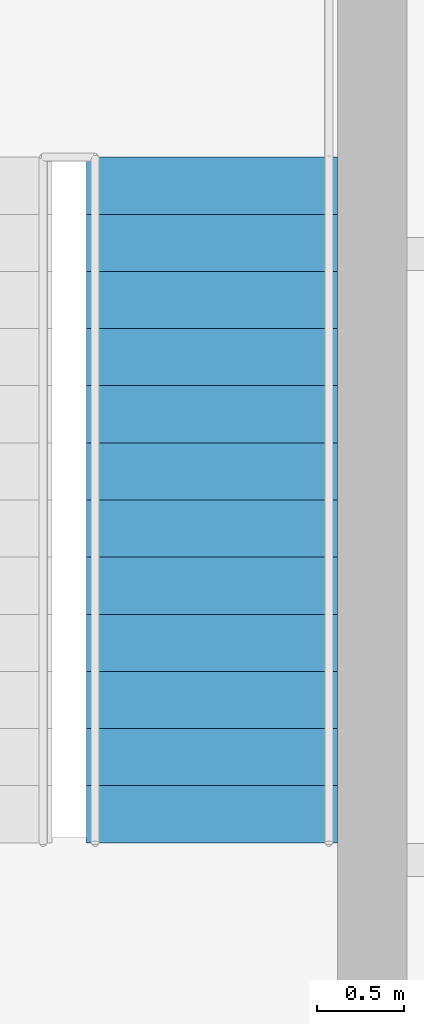
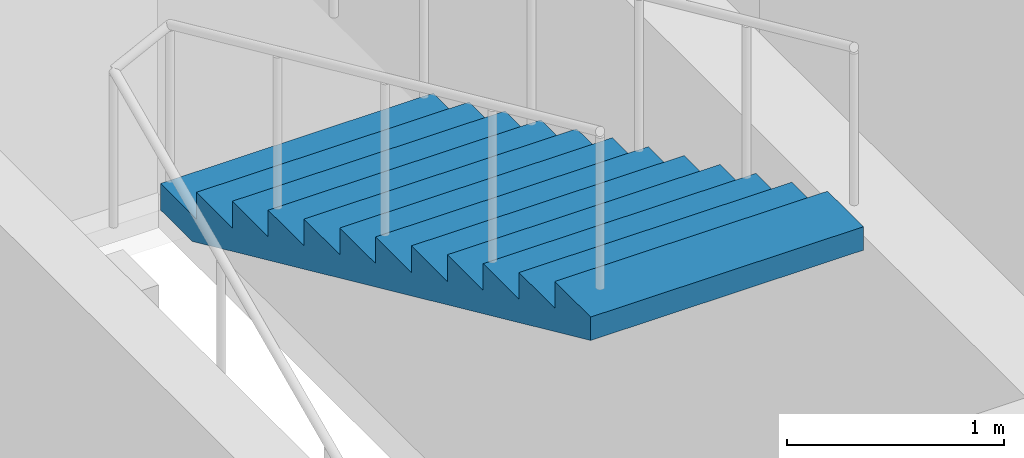
# One storey, part 9 of 10: 1 stair flight, 1 element without a shape of its own.
"""IFC4 building model written with IfcOpenShell, lengths in metres."""

from ifc_helpers import new_model, si_unit, direction, frame, origin, place, context, subcontext, project, spatial, polygons, material, type_object, element, aggregate, save


model = new_model("IFC4")

# Units and contexts
model_context = context("Model", 3, precision=1e-05, world=origin(), true_north=direction((0.0, 1.0)))
body_context = subcontext(model_context, "Body", "Model", "MODEL_VIEW")
ifc_project = project(units=[si_unit("LENGTHUNIT", "METRE"), si_unit("AREAUNIT", "SQUARE_METRE"), si_unit("VOLUMEUNIT", "CUBIC_METRE"), si_unit("PLANEANGLEUNIT", "RADIAN"), si_unit("MASSUNIT", "GRAM", prefix="KILO")], contexts=[model_context])

# Site, building, storey
site_placement = place(None, origin())
site = spatial("IfcSite", under=ifc_project, at=site_placement, CompositionType="ELEMENT")
building_placement = place(site_placement, origin())
building = spatial("IfcBuilding", under=site, at=building_placement, Name="Njiva Tower", CompositionType="ELEMENT")
storey_placement = place(building_placement, frame((0.0, 0.0, 264.9)))
storey = spatial("IfcBuildingStorey", under=building, at=storey_placement, Name="L60", CompositionType="ELEMENT", Elevation=264.9)

# Stair, stair flight
ifc_material = material(Name="Concrete C40/50", Category="concrete")
stair_type = type_object("IfcStairType", Name="ST3 Exit stair 1450", PredefinedType="HALF_TURN_STAIR", material=ifc_material)
stair_placement = place(storey_placement, origin())
stair = element("IfcStair", 1, at=stair_placement, inside=storey, type_object=stair_type, Name="Stair B", PredefinedType="HALF_TURN_STAIR")
stair_flight_type = type_object("IfcStairFlightType", Name="FL3 Stair flight 1450", PredefinedType="STRAIGHT", material=ifc_material)
stair_flight_placement = place(storey_placement, frame((13.375, 15.06, 1.95), z_axis=(0.0, 0.0, 1.0), x_axis=(0.0, -1.0, 0.0)))
stair_flight = element("IfcStairFlight", 2, at=stair_flight_placement, type_object=stair_flight_type, Name="ST-B flight 2", NumberOfRisers=13, NumberOfTreads=12, PredefinedType="STRAIGHT", RiserHeight=0.15, TreadLength=0.33, context=body_context, shape_type="Tessellation", body=[
    polygons([(0.0, 0.725, 0.0), (0.0, 0.3625, 0.0), (0.0, 0.0, 0.0), (0.0, -0.3625, 0.0), (0.0, -0.725, 0.0), (0.0, 0.725, 0.15), (0.0, 0.3625, 0.15), (0.0, 0.0, 0.15), (0.0, -0.3625, 0.15), (0.0, -0.725, 0.15), (0.33, 0.725, 0.15), (0.33, 0.3625, 0.15), (0.33, 0.0, 0.15), (0.33, -0.3625, 0.15), (0.33, -0.725, 0.15), (0.33, 0.725, 0.3), (0.33, 0.3625, 0.3), (0.33, 0.0, 0.3), (0.33, -0.3625, 0.3), (0.33, -0.725, 0.3), (0.66, 0.725, 0.3), (0.66, 0.3625, 0.3), (0.66, 0.0, 0.3), (0.66, -0.3625, 0.3), (0.66, -0.725, 0.3), (0.66, 0.725, 0.45), (0.66, 0.3625, 0.45), (0.66, 0.0, 0.45), (0.66, -0.3625, 0.45), (0.66, -0.725, 0.45), (0.99, 0.725, 0.45), (0.99, 0.3625, 0.45), (0.99, 0.0, 0.45), (0.99, -0.3625, 0.45), (0.99, -0.725, 0.45), (0.99, 0.725, 0.6), (0.99, 0.3625, 0.6), (0.99, 0.0, 0.6), (0.99, -0.3625, 0.6), (0.99, -0.725, 0.6), (1.32, 0.725, 0.6), (1.32, 0.3625, 0.6), (1.32, 0.0, 0.6), (1.32, -0.3625, 0.6), (1.32, -0.725, 0.6), (1.32, 0.725, 0.75), (1.32, 0.3625, 0.75), (1.32, 0.0, 0.75), (1.32, -0.3625, 0.75), (1.32, -0.725, 0.75), (1.65, 0.725, 0.75), (1.65, 0.3625, 0.75), (1.65, 0.0, 0.75), (1.65, -0.3625, 0.75), (1.65, -0.725, 0.75), (1.65, 0.725, 0.9), (1.65, 0.3625, 0.9), (1.65, 0.0, 0.9), (1.65, -0.3625, 0.9), (1.65, -0.725, 0.9), (1.98, 0.725, 0.9), (1.98, 0.3625, 0.9), (1.98, 0.0, 0.9), (1.98, -0.3625, 0.9), (1.98, -0.725, 0.9), (1.98, 0.725, 1.05), (1.98, 0.3625, 1.05), (1.98, 0.0, 1.05), (1.98, -0.3625, 1.05), (1.98, -0.725, 1.05), (2.31, 0.725, 1.05), (2.31, 0.3625, 1.05), (2.31, 0.0, 1.05), (2.31, -0.3625, 1.05), (2.31, -0.725, 1.05), (2.31, 0.725, 1.2), (2.31, 0.3625, 1.2), (2.31, 0.0, 1.2), (2.31, -0.3625, 1.2), (2.31, -0.725, 1.2), (2.64, 0.725, 1.2), (2.64, 0.3625, 1.2), (2.64, 0.0, 1.2), (2.64, -0.3625, 1.2), (2.64, -0.725, 1.2), (2.64, 0.725, 1.35), (2.64, 0.3625, 1.35), (2.64, 0.0, 1.35), (2.64, -0.3625, 1.35), (2.64, -0.725, 1.35), (2.97, 0.725, 1.35), (2.97, 0.3625, 1.35), (2.97, 0.0, 1.35), (2.97, -0.3625, 1.35), (2.97, -0.725, 1.35), (2.97, 0.725, 1.5), (2.97, 0.3625, 1.5), (2.97, 0.0, 1.5), (2.97, -0.3625, 1.5), (2.97, -0.725, 1.5), (3.3, 0.725, 1.5), (3.3, 0.3625, 1.5), (3.3, 0.0, 1.5), (3.3, -0.3625, 1.5), (3.3, -0.725, 1.5), (3.3, 0.725, 1.65), (3.3, 0.3625, 1.65), (3.3, 0.0, 1.65), (3.3, -0.3625, 1.65), (3.3, -0.725, 1.65), (3.63, 0.725, 1.65), (3.63, 0.3625, 1.65), (3.63, 0.0, 1.65), (3.63, -0.3625, 1.65), (3.63, -0.725, 1.65), (3.63, 0.725, 1.8), (3.63, 0.3625, 1.8), (3.63, 0.0, 1.8), (3.63, -0.3625, 1.8), (3.63, -0.725, 1.8), (3.96, 0.725, 1.8), (3.96, 0.3625, 1.8), (3.96, 0.0, 1.8), (3.96, -0.3625, 1.8), (3.96, -0.725, 1.8), (3.96, 0.725, 1.6682), (3.96, 0.3625, 1.6682), (3.96, 0.0, 1.6682), (3.96, -0.3625, 1.6682), (3.96, -0.725, 1.6682), (0.29, 0.725, 0.0), (0.29, 0.3625, 0.0), (0.29, 0.0, 0.0), (0.29, -0.3625, 0.0), (0.29, -0.725, 0.0)], [[[1, 6, 11, 16, 21, 26, 31, 36, 41, 46, 51, 56, 61, 66, 71, 76, 81, 86, 91, 96, 101, 106, 111, 116, 121, 126, 131]], [[135, 130, 125, 120, 115, 110, 105, 100, 95, 90, 85, 80, 75, 70, 65, 60, 55, 50, 45, 40, 35, 30, 25, 20, 15, 10, 5]], [[6, 1, 2, 7]], [[7, 2, 3, 8]], [[8, 3, 4, 9]], [[9, 4, 5, 10]], [[11, 6, 7, 12]], [[12, 7, 8, 13]], [[13, 8, 9, 14]], [[14, 9, 10, 15]], [[16, 11, 12, 17]], [[17, 12, 13, 18]], [[18, 13, 14, 19]], [[19, 14, 15, 20]], [[21, 16, 17, 22]], [[22, 17, 18, 23]], [[23, 18, 19, 24]], [[24, 19, 20, 25]], [[26, 21, 22, 27]], [[27, 22, 23, 28]], [[28, 23, 24, 29]], [[29, 24, 25, 30]], [[31, 26, 27, 32]], [[32, 27, 28, 33]], [[33, 28, 29, 34]], [[34, 29, 30, 35]], [[36, 31, 32, 37]], [[37, 32, 33, 38]], [[38, 33, 34, 39]], [[39, 34, 35, 40]], [[41, 36, 37, 42]], [[42, 37, 38, 43]], [[43, 38, 39, 44]], [[44, 39, 40, 45]], [[46, 41, 42, 47]], [[47, 42, 43, 48]], [[48, 43, 44, 49]], [[49, 44, 45, 50]], [[51, 46, 47, 52]], [[52, 47, 48, 53]], [[53, 48, 49, 54]], [[54, 49, 50, 55]], [[56, 51, 52, 57]], [[57, 52, 53, 58]], [[58, 53, 54, 59]], [[59, 54, 55, 60]], [[61, 56, 57, 62]], [[62, 57, 58, 63]], [[63, 58, 59, 64]], [[64, 59, 60, 65]], [[66, 61, 62, 67]], [[67, 62, 63, 68]], [[68, 63, 64, 69]], [[69, 64, 65, 70]], [[71, 66, 67, 72]], [[72, 67, 68, 73]], [[73, 68, 69, 74]], [[74, 69, 70, 75]], [[76, 71, 72, 77]], [[77, 72, 73, 78]], [[78, 73, 74, 79]], [[79, 74, 75, 80]], [[81, 76, 77, 82]], [[82, 77, 78, 83]], [[83, 78, 79, 84]], [[84, 79, 80, 85]], [[86, 81, 82, 87]], [[87, 82, 83, 88]], [[88, 83, 84, 89]], [[89, 84, 85, 90]], [[91, 86, 87, 92]], [[92, 87, 88, 93]], [[93, 88, 89, 94]], [[94, 89, 90, 95]], [[96, 91, 92, 97]], [[97, 92, 93, 98]], [[98, 93, 94, 99]], [[99, 94, 95, 100]], [[101, 96, 97, 102]], [[102, 97, 98, 103]], [[103, 98, 99, 104]], [[104, 99, 100, 105]], [[106, 101, 102, 107]], [[107, 102, 103, 108]], [[108, 103, 104, 109]], [[109, 104, 105, 110]], [[111, 106, 107, 112]], [[112, 107, 108, 113]], [[113, 108, 109, 114]], [[114, 109, 110, 115]], [[116, 111, 112, 117]], [[117, 112, 113, 118]], [[118, 113, 114, 119]], [[119, 114, 115, 120]], [[121, 116, 117, 122]], [[122, 117, 118, 123]], [[123, 118, 119, 124]], [[124, 119, 120, 125]], [[126, 121, 122, 127]], [[127, 122, 123, 128]], [[128, 123, 124, 129]], [[129, 124, 125, 130]], [[131, 126, 127, 132]], [[132, 127, 128, 133]], [[133, 128, 129, 134]], [[134, 129, 130, 135]], [[1, 131, 132, 2]], [[2, 132, 133, 3]], [[3, 133, 134, 4]], [[4, 134, 135, 5]]], closed=True),
])
aggregate(stair, [stair_flight])

save(model, "model.ifc")
